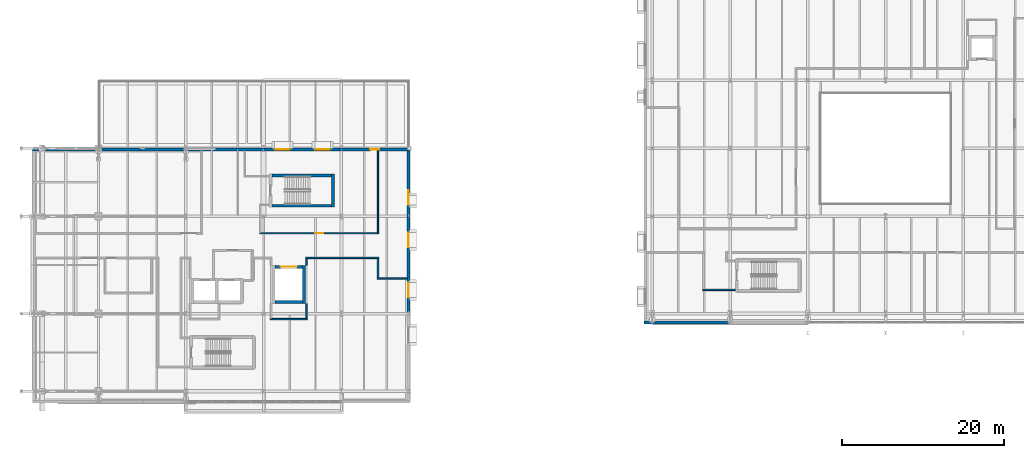
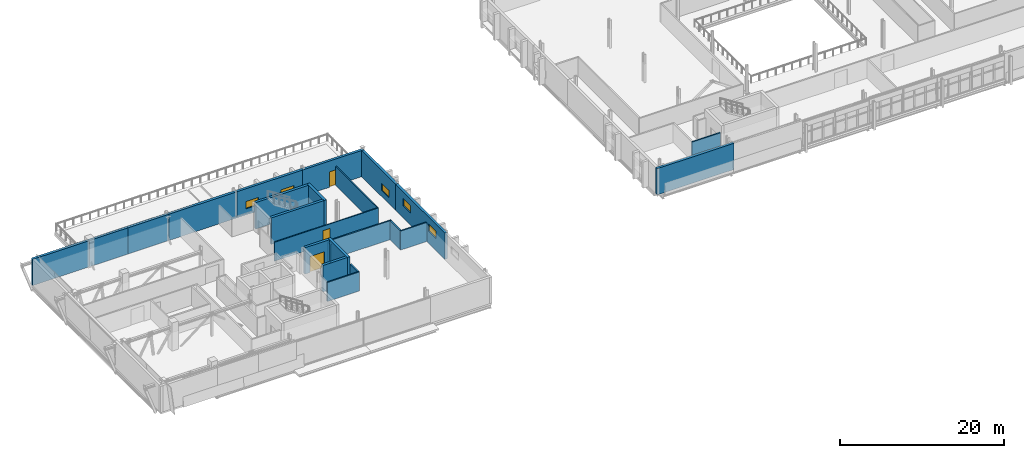
# One storey, part 43 of 57: 24 walls, 5 windows, 3 doors, 8 openings.
"""IFC4 building model written with IfcOpenShell, lengths in metres."""

from ifc_helpers import new_model, si_unit, direction, frame, frame_2d, origin, place, context, subcontext, project, spatial, rectangle, extrude, material, layer, layer_set, type_object, element, fill, save


model = new_model("IFC4")

# Units and contexts
model_context = context("Model", 3, precision=1e-05, world=origin(), true_north=direction((0.0, 1.0)))
body_context = subcontext(model_context, "Body", "Model", "MODEL_VIEW")
ifc_project = project(units=[si_unit("LENGTHUNIT", "METRE"), si_unit("AREAUNIT", "SQUARE_METRE"), si_unit("VOLUMEUNIT", "CUBIC_METRE"), si_unit("PLANEANGLEUNIT", "RADIAN"), si_unit("MASSUNIT", "GRAM", prefix="KILO")], contexts=[model_context])

# Site, building, storey
site_placement = place(None, origin())
site = spatial("IfcSite", under=ifc_project, at=site_placement, CompositionType="ELEMENT")
building_placement = place(site_placement, origin())
building = spatial("IfcBuilding", under=site, at=building_placement, Name="Zereglee Splitstone Museum", CompositionType="ELEMENT")
storey_placement = place(building_placement, frame((0.0, 0.0, 17.10009765625)))
storey = spatial("IfcBuildingStorey", under=building, at=storey_placement, Name="L03", CompositionType="ELEMENT", Elevation=17.10009765625)

# Walls
ifc_material_1 = material(Name="Concrete C45/55", Category="concrete")
ifc_layer_1 = layer(ifc_material_1, 0.360107421875)
ifc_layer_set_1 = layer_set([ifc_layer_1], Name="Concrete C45/55")
wall_type_1 = type_object("IfcWallType", Name="CSW-02", PredefinedType="SHEAR", material=ifc_layer_set_1)
wall_1_placement = place(storey_placement, frame((38.580078125, 22.739990234375, 0.0), z_axis=(0.0, 0.0, 1.0), x_axis=(0.0, 1.0, 0.0)))
element("IfcWall", 1, at=wall_1_placement, inside=storey, type_object=wall_type_1, Name="Stair Core Shear Wall ST-02 L03 East", PredefinedType="SHEAR", context=body_context, shape_type="SweptSolid", body=[
    extrude(rectangle(XDim=4.1201171875, YDim=0.360107421875, at=frame_2d((2.06005859375, 0.0))), origin(), (0.0, 0.0, 1.0), 3.93994140625),
])
for number, where, z_axis, x_axis, name in (
    (2, (31.0, 26.679931640625, 0.0), (0.0, 0.0, 1.0), (1.0, 0.0, 0.0), "Stair Core Shear Wall ST-02 L03 North"),
    (3, (31.0, 22.919921875, 0.0), (0.0, 0.0, 1.0), (1.0, 0.0, 0.0), "Stair Core Shear Wall ST-02 L03 South"),
):
    element("IfcWall", number, at=place(storey_placement, frame(where, z_axis=z_axis, x_axis=x_axis)), inside=storey, type_object=wall_type_1, Name=name, PredefinedType="SHEAR", context=body_context, shape_type="SweptSolid", body=[
        extrude(rectangle(XDim=7.39990234375, YDim=0.360107421875, at=frame_2d((3.699951171875, 0.0))), origin(), (0.0, 0.0, 1.0), 3.93994140625),
    ])

# Wall, opening, door
wall_2_placement = place(storey_placement, frame((31.39990234375, 15.3798828125, 0.0), z_axis=(0.0, 0.0, 1.0), x_axis=(1.0, 0.0, 0.0)))
wall_2 = element("IfcWall", 4, at=wall_2_placement, inside=storey, type_object=wall_type_1, Name="Lift Shaft Wall GL-02 L03 North", PredefinedType="SHEAR", context=body_context, shape_type="SweptSolid", body=[
    extrude(rectangle(XDim=3.400146484375, YDim=0.360107421875, at=frame_2d((1.7001953125, 0.0))), origin(), (0.0, 0.0, 1.0), 3.93994140625),
])
opening_1_placement = place(wall_2_placement, frame((0.699951171875, 0.0, 0.0)))
opening_1 = element("IfcOpeningElement", 5, at=opening_1_placement, cuts=wall_2, Name="Opening LD-03", PredefinedType="OPENING", context=body_context, shape_type="SweptSolid", body=[
    extrude(rectangle(XDim=2.0, YDim=2.39990234375, at=frame_2d((1.0, 1.199951171875))), frame((0.0, 0.19482421875, 0.0), z_axis=(0.0, -1.0, 0.0), x_axis=(1.0, 0.0, 0.0)), (0.0, 0.0, 1.0), 0.389892578125),
])
ifc_material_2 = material(Name="Fire-rated steel and Siberian larch leaf", Category="steel")
door_type_1 = type_object("IfcDoorType", Name="LD-03", OperationType="DOUBLE_DOOR_SLIDING", PredefinedType="DOOR", material=ifc_material_2)
door_1_placement = place(opening_1_placement, origin())
door_1 = element("IfcDoor", 6, at=door_1_placement, inside=storey, type_object=door_type_1, Name="Lift Landing Sliding Door GL-02 L03", OperationType="DOUBLE_DOOR_SLIDING", OverallHeight=2.39990234375, OverallWidth=2.0, PredefinedType="DOOR", context=body_context, shape_type="SweptSolid", body=[
    extrude(rectangle(XDim=2.0, YDim=2.39990234375, at=frame_2d((1.0, 1.199951171875))), frame((0.0, 0.02490234375, 0.0), z_axis=(0.0, -1.0, 0.0), x_axis=(1.0, 0.0, 0.0)), (0.0, 0.0, 1.0), 0.050048828125),
])
fill(opening_1, door_1)

# Walls
wall_3_placement = place(storey_placement, frame((31.39990234375, 11.02001953125, 0.0), z_axis=(0.0, 0.0, 1.0), x_axis=(1.0, 0.0, 0.0)))
element("IfcWall", 7, at=wall_3_placement, inside=storey, type_object=wall_type_1, Name="Lift Shaft Wall GL-02 L03 South", PredefinedType="SHEAR", context=body_context, shape_type="SweptSolid", body=[
    extrude(rectangle(XDim=3.400146484375, YDim=0.360107421875, at=frame_2d((1.7001953125, 0.0))), origin(), (0.0, 0.0, 1.0), 3.93994140625),
])
wall_4_placement = place(storey_placement, frame((34.97998046875, 10.840087890625, 0.0), z_axis=(0.0, 0.0, 1.0), x_axis=(0.0, 1.0, 0.0)))
element("IfcWall", 8, at=wall_4_placement, inside=storey, type_object=wall_type_1, Name="Lift Shaft Wall GL-02 L03 East", PredefinedType="SHEAR", context=body_context, shape_type="SweptSolid", body=[
    extrude(rectangle(XDim=4.719970703125, YDim=0.360107421875, at=frame_2d((2.35986328125, 0.0))), origin(), (0.0, 0.0, 1.0), 3.93994140625),
])

# Wall, openings, windows
ifc_material_3 = material(Name="Precast concrete C40/50", Category="concrete")
ifc_layer_2 = layer(ifc_material_3, 0.35009765625)
ifc_layer_set_2 = layer_set([ifc_layer_2], Name="Precast concrete C40/50")
wall_type_2 = type_object("IfcWallType", Name="EW-01", PredefinedType="STANDARD", material=ifc_layer_set_2)
wall_5_placement = place(storey_placement, frame((47.8798828125, 9.419921875, 0.0), z_axis=(0.0, 0.0, 1.0), x_axis=(0.0, 1.0, 0.0)))
wall_5 = element("IfcWall", 9, at=wall_5_placement, inside=storey, type_object=wall_type_2, Name="Exterior Backup Wall RC4-EW-L03-0182", PredefinedType="STANDARD", context=body_context, shape_type="SweptSolid", body=[
    extrude(rectangle(XDim=12.360107421875, YDim=0.35009765625, at=frame_2d((6.18017578125, 0.0))), origin(), (0.0, 0.0, 1.0), 3.89990234375),
])
opening_2_placement = place(wall_5_placement, frame((2.18994140625, 0.0, 1.800048828125)))
opening_2 = element("IfcOpeningElement", 10, at=opening_2_placement, cuts=wall_5, Name="Opening EW-W12", PredefinedType="OPENING", context=body_context, shape_type="SweptSolid", body=[
    extrude(rectangle(XDim=1.800048828125, YDim=1.10009765625, at=frame_2d((0.89990234375, 0.550048828125))), frame((0.0, 0.18994140625, 0.0), z_axis=(0.0, -1.0, 0.0), x_axis=(1.0, 0.0, 0.0)), (0.0, 0.0, 1.0), 0.3798828125),
])
opening_3_placement = place(wall_5_placement, frame((8.3701171875, 0.0, 1.800048828125)))
opening_3 = element("IfcOpeningElement", 11, at=opening_3_placement, cuts=wall_5, Name="Opening EW-W12", PredefinedType="OPENING", context=body_context, shape_type="SweptSolid", body=[
    extrude(rectangle(XDim=1.800048828125, YDim=1.10009765625, at=frame_2d((0.89990234375, 0.550048828125))), frame((0.0, 0.18994140625, 0.0), z_axis=(0.0, -1.0, 0.0), x_axis=(1.0, 0.0, 0.0)), (0.0, 0.0, 1.0), 0.3798828125),
])
ifc_material_4 = material(Name="Thermally broken aluminium frame with triple low-e glazing", Category="aluminium")
window_type = type_object("IfcWindowType", Name="EW-W12", PartitioningType="DOUBLE_PANEL_HORIZONTAL", PredefinedType="WINDOW", material=ifc_material_4)
window_1_placement = place(opening_2_placement, origin())
window_1 = element("IfcWindow", 12, at=window_1_placement, inside=storey, type_object=window_type, Name="Mughal Deep-Reveal Gallery Window L03-0120", OverallHeight=1.10009765625, OverallWidth=1.800048828125, PartitioningType="SINGLE_PANEL", PredefinedType="WINDOW", context=body_context, shape_type="SweptSolid", body=[
    extrude(rectangle(XDim=1.800048828125, YDim=1.10009765625, at=frame_2d((0.89990234375, 0.550048828125))), frame((0.0, 0.030029296875, 0.0), z_axis=(0.0, -1.0, 0.0), x_axis=(1.0, 0.0, 0.0)), (0.0, 0.0, 1.0), 0.06005859375),
])
fill(opening_2, window_1)
window_2_placement = place(opening_3_placement, origin())
window_2 = element("IfcWindow", 13, at=window_2_placement, inside=storey, type_object=window_type, Name="Mughal Deep-Reveal Gallery Window L03-0121", OverallHeight=1.10009765625, OverallWidth=1.800048828125, PartitioningType="SINGLE_PANEL", PredefinedType="WINDOW", context=body_context, shape_type="SweptSolid", body=[
    extrude(rectangle(XDim=1.800048828125, YDim=1.10009765625, at=frame_2d((0.89990234375, 0.550048828125))), frame((0.0, 0.030029296875, 0.0), z_axis=(0.0, -1.0, 0.0), x_axis=(1.0, 0.0, 0.0)), (0.0, 0.0, 1.0), 0.06005859375),
])
fill(opening_3, window_2)

# Wall, opening, window
wall_6_placement = place(storey_placement, frame((47.8798828125, 21.419921875, 0.0), z_axis=(0.0, 0.0, 1.0), x_axis=(0.0, 1.0, 0.0)))
wall_6 = element("IfcWall", 14, at=wall_6_placement, inside=storey, type_object=wall_type_2, Name="Exterior Backup Wall RC4-EW-L03-0183", PredefinedType="STANDARD", context=body_context, shape_type="SweptSolid", body=[
    extrude(rectangle(XDim=8.64013671875, YDim=0.35009765625, at=frame_2d((4.320068359375, 0.0))), origin(), (0.0, 0.0, 1.0), 3.89990234375),
])
opening_4_placement = place(wall_6_placement, frame((1.635009765625, 0.0, 0.89990234375)))
opening_4 = element("IfcOpeningElement", 15, at=opening_4_placement, cuts=wall_6, Name="Opening EW-W12", PredefinedType="OPENING", context=body_context, shape_type="SweptSolid", body=[
    extrude(rectangle(XDim=1.800048828125, YDim=1.10009765625, at=frame_2d((0.89990234375, 0.550048828125))), frame((0.0, 0.18994140625, 0.0), z_axis=(0.0, -1.0, 0.0), x_axis=(1.0, 0.0, 0.0)), (0.0, 0.0, 1.0), 0.3798828125),
])
window_3_placement = place(opening_4_placement, origin())
window_3 = element("IfcWindow", 16, at=window_3_placement, inside=storey, type_object=window_type, Name="Mughal Deep-Reveal Gallery Window L03-0122", OverallHeight=1.10009765625, OverallWidth=1.800048828125, PartitioningType="SINGLE_PANEL", PredefinedType="WINDOW", context=body_context, shape_type="SweptSolid", body=[
    extrude(rectangle(XDim=1.800048828125, YDim=1.10009765625, at=frame_2d((0.89990234375, 0.550048828125))), frame((0.0, 0.030029296875, 0.0), z_axis=(0.0, -1.0, 0.0), x_axis=(1.0, 0.0, 0.0)), (0.0, 0.0, 1.0), 0.06005859375),
])
fill(opening_4, window_3)

# Wall, opening, door
wall_7_placement = place(storey_placement, frame((48.06005859375, 29.8798828125, 0.0), z_axis=(0.0, 0.0, 1.0), x_axis=(-1.0, 0.0, 0.0)))
wall_7 = element("IfcWall", 17, at=wall_7_placement, inside=storey, type_object=wall_type_2, Name="Exterior Backup Wall RC4-EW-L03-0184", PredefinedType="STANDARD", context=body_context, shape_type="SweptSolid", body=[
    extrude(rectangle(XDim=8.64013671875, YDim=0.35009765625, at=frame_2d((4.320068359375, 0.0))), origin(), (0.0, 0.0, 1.0), 3.89990234375),
])
opening_5_placement = place(wall_7_placement, frame((3.77001953125, 0.0, 0.0)))
opening_5 = element("IfcOpeningElement", 18, at=opening_5_placement, cuts=wall_7, Name="Opening ED-07", PredefinedType="OPENING", context=body_context, shape_type="SweptSolid", body=[
    extrude(rectangle(XDim=1.10009765625, YDim=2.300048828125, at=frame_2d((0.550048828125, 1.14990234375))), frame((0.0, 0.18994140625, 0.0), z_axis=(0.0, -1.0, 0.0), x_axis=(1.0, 0.0, 0.0)), (0.0, 0.0, 1.0), 0.3798828125),
])
ifc_material_5 = material(Name="Thermally broken aluminium with triple glazing", Category="aluminium")
door_type_2 = type_object("IfcDoorType", Name="ED-07", OperationType="NOTDEFINED", PredefinedType="DOOR", material=ifc_material_5)
door_2_placement = place(opening_5_placement, origin())
door_2 = element("IfcDoor", 19, at=door_2_placement, inside=storey, type_object=door_type_2, Name="Gallery Terrace Access Door TER-L03-V1N", OperationType="SINGLE_SWING_LEFT", OverallHeight=2.300048828125, OverallWidth=1.10009765625, PredefinedType="DOOR", context=body_context, shape_type="SweptSolid", body=[
    extrude(rectangle(XDim=1.10009765625, YDim=2.300048828125, at=frame_2d((0.550048828125, 1.14990234375))), frame((0.0, 0.02490234375, 0.0), z_axis=(0.0, -1.0, 0.0), x_axis=(1.0, 0.0, 0.0)), (0.0, 0.0, 1.0), 0.050048828125),
])
fill(opening_5, door_2)

# Wall, openings, windows
wall_8_placement = place(storey_placement, frame((39.780029296875, 29.8798828125, 0.0), z_axis=(0.0, 0.0, 1.0), x_axis=(-1.0, 0.0, 0.0)))
wall_8 = element("IfcWall", 20, at=wall_8_placement, inside=storey, type_object=wall_type_2, Name="Exterior Backup Wall RC4-EW-L03-0185", PredefinedType="STANDARD", context=body_context, shape_type="SweptSolid", body=[
    extrude(rectangle(XDim=9.9599609375, YDim=0.35009765625, at=frame_2d((4.97998046875, 0.0))), origin(), (0.0, 0.0, 1.0), 3.89990234375),
])
opening_6_placement = place(wall_8_placement, frame((1.590087890625, 0.0, 0.89990234375)))
opening_6 = element("IfcOpeningElement", 21, at=opening_6_placement, cuts=wall_8, Name="Opening EW-W12", PredefinedType="OPENING", context=body_context, shape_type="SweptSolid", body=[
    extrude(rectangle(XDim=1.800048828125, YDim=1.10009765625, at=frame_2d((0.89990234375, 0.550048828125))), frame((0.0, 0.18994140625, 0.0), z_axis=(0.0, -1.0, 0.0), x_axis=(1.0, 0.0, 0.0)), (0.0, 0.0, 1.0), 0.3798828125),
])
opening_7_placement = place(wall_8_placement, frame((6.570068359375, 0.0, 0.89990234375)))
opening_7 = element("IfcOpeningElement", 22, at=opening_7_placement, cuts=wall_8, Name="Opening EW-W12", PredefinedType="OPENING", context=body_context, shape_type="SweptSolid", body=[
    extrude(rectangle(XDim=1.800048828125, YDim=1.10009765625, at=frame_2d((0.89990234375, 0.550048828125))), frame((0.0, 0.18994140625, 0.0), z_axis=(0.0, -1.0, 0.0), x_axis=(1.0, 0.0, 0.0)), (0.0, 0.0, 1.0), 0.3798828125),
])
window_4_placement = place(opening_6_placement, origin())
window_4 = element("IfcWindow", 23, at=window_4_placement, inside=storey, type_object=window_type, Name="Mughal Deep-Reveal Gallery Window L03-0123", OverallHeight=1.10009765625, OverallWidth=1.800048828125, PartitioningType="SINGLE_PANEL", PredefinedType="WINDOW", context=body_context, shape_type="SweptSolid", body=[
    extrude(rectangle(XDim=1.800048828125, YDim=1.10009765625, at=frame_2d((0.89990234375, 0.550048828125))), frame((0.0, 0.030029296875, 0.0), z_axis=(0.0, -1.0, 0.0), x_axis=(1.0, 0.0, 0.0)), (0.0, 0.0, 1.0), 0.06005859375),
])
fill(opening_6, window_4)
window_5_placement = place(opening_7_placement, origin())
window_5 = element("IfcWindow", 24, at=window_5_placement, inside=storey, type_object=window_type, Name="Mughal Deep-Reveal Gallery Window L03-0124", OverallHeight=1.10009765625, OverallWidth=1.800048828125, PartitioningType="SINGLE_PANEL", PredefinedType="WINDOW", context=body_context, shape_type="SweptSolid", body=[
    extrude(rectangle(XDim=1.800048828125, YDim=1.10009765625, at=frame_2d((0.89990234375, 0.550048828125))), frame((0.0, 0.030029296875, 0.0), z_axis=(0.0, -1.0, 0.0), x_axis=(1.0, 0.0, 0.0)), (0.0, 0.0, 1.0), 0.06005859375),
])
fill(opening_7, window_5)

# Walls
wall_9_placement = place(storey_placement, frame((30.179931640625, 29.8798828125, 0.0), z_axis=(0.0, 0.0, 1.0), x_axis=(-1.0, 0.0, 0.0)))
element("IfcWall", 25, at=wall_9_placement, inside=storey, type_object=wall_type_2, Name="Exterior Backup Wall RC4-EW-L03-0186", PredefinedType="STANDARD", context=body_context, shape_type="SweptSolid", body=[
    extrude(rectangle(XDim=9.9599609375, YDim=0.35009765625, at=frame_2d((4.97998046875, 0.0))), origin(), (0.0, 0.0, 1.0), 3.89990234375),
])
for number, where, z_axis, x_axis, name in (
    (26, (20.580078125, 29.8798828125, 0.0), (0.0, 0.0, 1.0), (-1.0, 0.0, 0.0), "Exterior Backup Wall RC4-EW-L03-0187"),
    (27, (15.179931640625, 29.8798828125, 0.0), (0.0, 0.0, 1.0), (-1.0, 0.0, 0.0), "Exterior Backup Wall RC4-EW-L03-0188"),
):
    element("IfcWall", number, at=place(storey_placement, frame(where, z_axis=z_axis, x_axis=x_axis)), inside=storey, type_object=wall_type_2, Name=name, PredefinedType="STANDARD", context=body_context, shape_type="SweptSolid", body=[
        extrude(rectangle(XDim=5.760009765625, YDim=0.35009765625, at=frame_2d((2.8798828125, 0.0))), origin(), (0.0, 0.0, 1.0), 3.89990234375),
    ])
wall_10_placement = place(storey_placement, frame((9.780029296875, 29.8798828125, 0.0), z_axis=(0.0, 0.0, 1.0), x_axis=(-1.0, 0.0, 0.0)))
element("IfcWall", 28, at=wall_10_placement, inside=storey, type_object=wall_type_2, Name="Exterior Backup Wall RC4-EW-L03-0189", PredefinedType="STANDARD", context=body_context, shape_type="SweptSolid", body=[
    extrude(rectangle(XDim=8.340087890625, YDim=0.35009765625, at=frame_2d((4.169921875, 0.0))), origin(), (0.0, 0.0, 1.0), 3.89990234375),
])
wall_11_placement = place(storey_placement, frame((76.93994140625, 8.52001953125, 0.0), z_axis=(0.0, 0.0, 1.0), x_axis=(1.0, 0.0, 0.0)))
element("IfcWall", 29, at=wall_11_placement, inside=storey, type_object=wall_type_2, Name="Exterior Backup Wall RC4-EW-L03-0194", PredefinedType="STANDARD", context=body_context, shape_type="SweptSolid", body=[
    extrude(rectangle(XDim=10.840087890625, YDim=0.35009765625, at=frame_2d((5.419921875, 0.0))), origin(), (0.0, 0.0, 1.0), 3.89990234375),
])

# Wall, opening, door
ifc_material_6 = material(Name="Fire-rated gypsum board partition", Category="masonry")
ifc_layer_3 = layer(ifc_material_6, 0.139892578125)
ifc_layer_set_3 = layer_set([ifc_layer_3], Name="Fire-rated gypsum board partition")
wall_type_3 = type_object("IfcWallType", Name="IW-05", PredefinedType="PARTITIONING", material=ifc_layer_set_3)
wall_12_placement = place(storey_placement, frame((29.510009765625, 19.52001953125, 0.0), z_axis=(0.0, 0.0, 1.0), x_axis=(1.0, 0.0, 0.0)))
wall_12 = element("IfcWall", 30, at=wall_12_placement, inside=storey, type_object=wall_type_3, Name="Interior Partition L03-0580 (Curatorial Study Room)", PredefinedType="PARTITIONING", context=body_context, shape_type="SweptSolid", body=[
    extrude(rectangle(XDim=14.679931640625, YDim=0.139892578125, at=frame_2d((7.33984375, 0.0))), origin(), (0.0, 0.0, 1.0), 2.81982421875),
])
opening_8_placement = place(wall_12_placement, frame((6.840087890625, 0.0, 0.0)))
opening_8 = element("IfcOpeningElement", 31, at=opening_8_placement, cuts=wall_12, Name="Opening ID-10", PredefinedType="OPENING", context=body_context, shape_type="SweptSolid", body=[
    extrude(rectangle(XDim=1.0, YDim=2.14990234375, at=frame_2d((0.5, 1.074951171875))), frame((0.0, 0.0849609375, 0.0), z_axis=(0.0, -1.0, 0.0), x_axis=(1.0, 0.0, 0.0)), (0.0, 0.0, 1.0), 0.169677734375),
])
ifc_material_7 = material(Name="Siberian larch acoustic timber leaf in bronze-steel frame", Category="steel")
door_type_3 = type_object("IfcDoorType", Name="ID-10", OperationType="NOTDEFINED", PredefinedType="DOOR", material=ifc_material_7)
door_3_placement = place(opening_8_placement, origin())
door_3 = element("IfcDoor", 32, at=door_3_placement, inside=storey, type_object=door_type_3, Name="Interior Door L03-0099 (Curatorial Study Room)", OperationType="SINGLE_SWING_RIGHT", OverallHeight=2.14990234375, OverallWidth=1.0, PredefinedType="DOOR", context=body_context, shape_type="SweptSolid", body=[
    extrude(rectangle(XDim=1.0, YDim=2.14990234375, at=frame_2d((0.5, 1.074951171875))), frame((0.0, 0.02490234375, 0.0), z_axis=(0.0, -1.0, 0.0), x_axis=(1.0, 0.0, 0.0)), (0.0, 0.0, 1.0), 0.050048828125),
])
fill(opening_8, door_3)

# Walls
wall_13_placement = place(storey_placement, frame((44.1201171875, 19.590087890625, 0.0), z_axis=(0.0, 0.0, 1.0), x_axis=(0.0, 1.0, 0.0)))
element("IfcWall", 33, at=wall_13_placement, inside=storey, type_object=wall_type_3, Name="Interior Partition L03-0607 (Curatorial Study Room)", PredefinedType="PARTITIONING", context=body_context, shape_type="SweptSolid", body=[
    extrude(rectangle(XDim=10.114990234375, YDim=0.139892578125, at=frame_2d((5.0576171875, 0.0))), origin(), (0.0, 0.0, 1.0), 2.81982421875),
])
ifc_material_8 = material(Name="Gypsum board on acoustic steel stud", Category="steel")
ifc_layer_4 = layer(ifc_material_8, 0.18994140625)
ifc_layer_set_4 = layer_set([ifc_layer_4], Name="Gypsum board on acoustic steel stud")
wall_type_4 = type_object("IfcWallType", Name="IW-02", PredefinedType="PARTITIONING", material=ifc_layer_set_4)
wall_14_placement = place(storey_placement, frame((30.824951171875, 8.919921875, 0.0), z_axis=(0.0, 0.0, 1.0), x_axis=(1.0, 0.0, 0.0)))
element("IfcWall", 34, at=wall_14_placement, inside=storey, type_object=wall_type_4, Name="Interior Partition L03-0559 (Jade and Lapidary Exhibition Gallery)", PredefinedType="PARTITIONING", context=body_context, shape_type="SweptSolid", body=[
    extrude(rectangle(XDim=4.550048828125, YDim=0.18994140625, at=frame_2d((2.27490234375, 0.0))), origin(), (0.0, 0.0, 1.0), 2.81982421875),
])
wall_15_placement = place(storey_placement, frame((84.22509765625, 12.52001953125, 0.0), z_axis=(0.0, 0.0, 1.0), x_axis=(1.0, 0.0, 0.0)))
element("IfcWall", 35, at=wall_15_placement, inside=storey, type_object=wall_type_4, Name="Interior Partition L03-0564 (Gobi Mineralogy Gallery)", PredefinedType="PARTITIONING", context=body_context, shape_type="SweptSolid", body=[
    extrude(rectangle(XDim=4.014892578125, YDim=0.18994140625, at=frame_2d((2.00732421875, 0.0))), origin(), (0.0, 0.0, 1.0), 2.81982421875),
])
wall_16_placement = place(storey_placement, frame((44.02490234375, 13.919921875, 0.0), z_axis=(0.0, 0.0, 1.0), x_axis=(1.0, 0.0, 0.0)))
element("IfcWall", 36, at=wall_16_placement, inside=storey, type_object=wall_type_4, Name="Interior Partition L03-0570 (Jade and Lapidary Exhibition Gallery)", PredefinedType="PARTITIONING", context=body_context, shape_type="SweptSolid", body=[
    extrude(rectangle(XDim=3.68017578125, YDim=0.18994140625, at=frame_2d((1.840087890625, 0.0))), origin(), (0.0, 0.0, 1.0), 2.81982421875),
])
wall_17_placement = place(storey_placement, frame((35.18505859375, 16.47998046875, 0.0), z_axis=(0.0, 0.0, 1.0), x_axis=(1.0, 0.0, 0.0)))
element("IfcWall", 37, at=wall_17_placement, inside=storey, type_object=wall_type_4, Name="Interior Partition L03-0575 (Jade and Lapidary Exhibition Gallery)", PredefinedType="PARTITIONING", context=body_context, shape_type="SweptSolid", body=[
    extrude(rectangle(XDim=9.030029296875, YDim=0.18994140625, at=frame_2d((4.51513671875, 0.0))), origin(), (0.0, 0.0, 1.0), 2.81982421875),
])
wall_18_placement = place(storey_placement, frame((35.280029296875, 9.014892578125, 0.0), z_axis=(0.0, 0.0, 1.0), x_axis=(0.0, 1.0, 0.0)))
element("IfcWall", 38, at=wall_18_placement, inside=storey, type_object=wall_type_4, Name="Interior Partition L03-0604 (Jade and Lapidary Exhibition Gallery)", PredefinedType="PARTITIONING", context=body_context, shape_type="SweptSolid", body=[
    extrude(rectangle(XDim=1.8251953125, YDim=0.18994140625, at=frame_2d((0.91259765625, 0.0))), origin(), (0.0, 0.0, 1.0), 2.81982421875),
])
wall_19_placement = place(storey_placement, frame((35.280029296875, 15.56005859375, 0.0), z_axis=(0.0, 0.0, 1.0), x_axis=(0.0, 1.0, 0.0)))
element("IfcWall", 39, at=wall_19_placement, inside=storey, type_object=wall_type_4, Name="Interior Partition L03-0605 (Jade and Lapidary Exhibition Gallery)", PredefinedType="PARTITIONING", context=body_context, shape_type="SweptSolid", body=[
    extrude(rectangle(XDim=0.824951171875, YDim=0.18994140625, at=frame_2d((0.41259765625, 0.0))), origin(), (0.0, 0.0, 1.0), 2.81982421875),
])
wall_20_placement = place(storey_placement, frame((44.1201171875, 14.014892578125, 0.0), z_axis=(0.0, 0.0, 1.0), x_axis=(0.0, 1.0, 0.0)))
element("IfcWall", 40, at=wall_20_placement, inside=storey, type_object=wall_type_4, Name="Interior Partition L03-0606 (Jade and Lapidary Exhibition Gallery)", PredefinedType="PARTITIONING", context=body_context, shape_type="SweptSolid", body=[
    extrude(rectangle(XDim=2.3701171875, YDim=0.18994140625, at=frame_2d((1.18505859375, 0.0))), origin(), (0.0, 0.0, 1.0), 2.81982421875),
])

save(model, "model.ifc")
